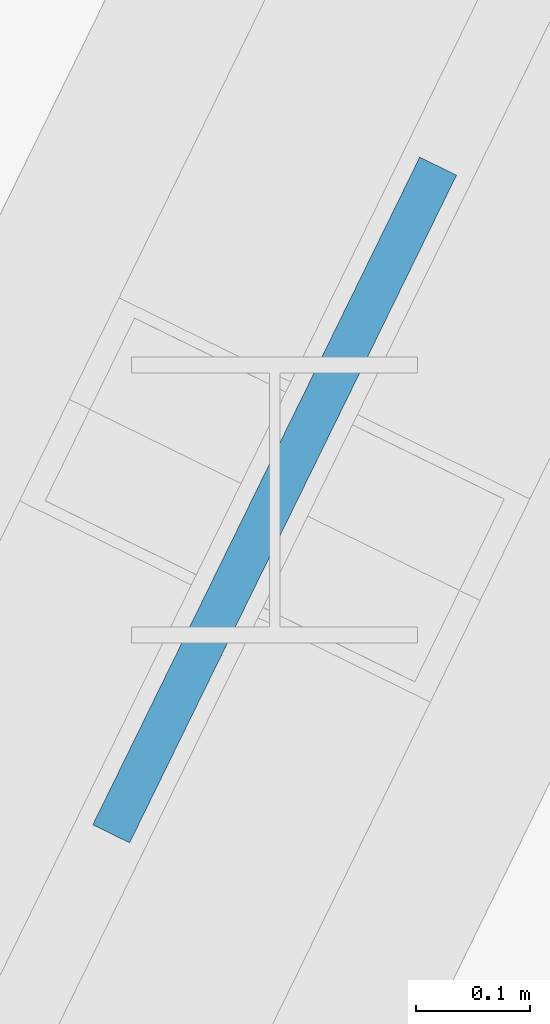
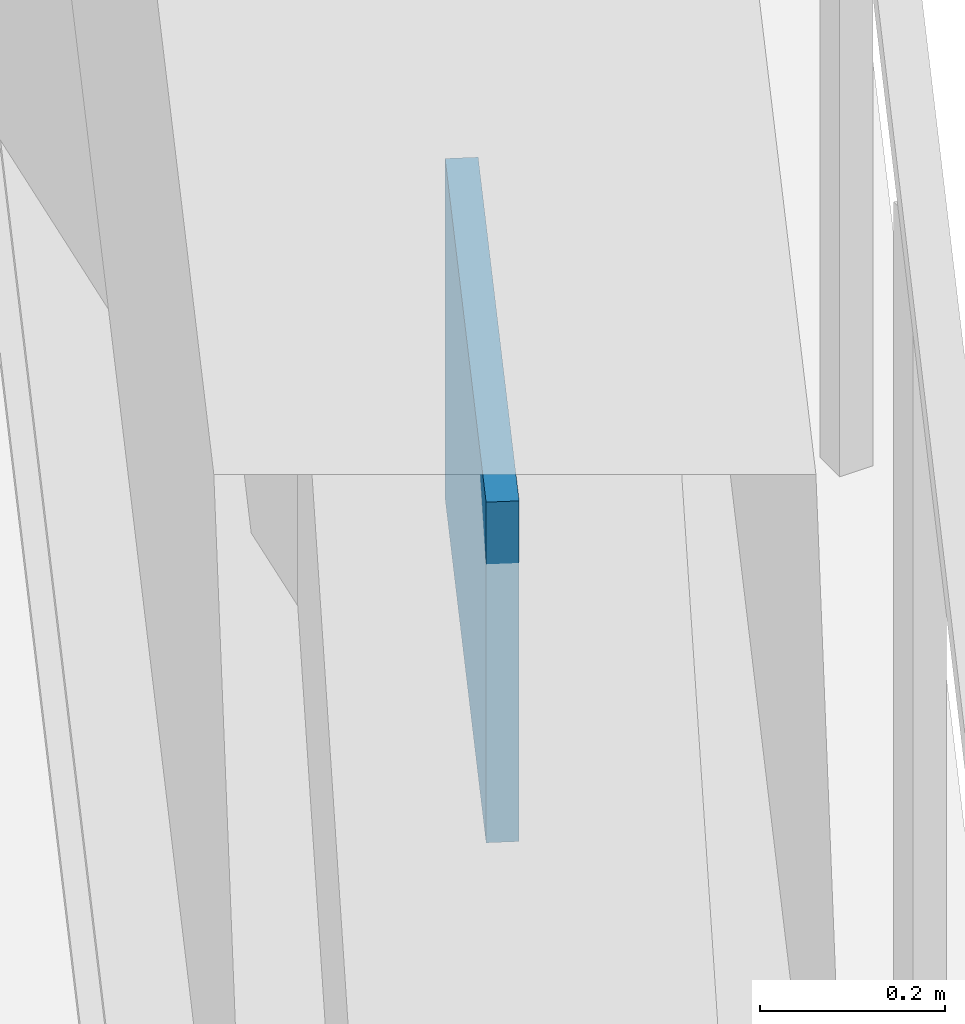
# One storey, part 15 of 25: 1 plate.
"""IFC4 building model written with IfcOpenShell, lengths in metres."""

from ifc_helpers import new_model, si_unit, direction, frame, origin, origin_2d, place, context, subcontext, project, spatial, rectangle, extrude, source, transform, mapped, material, layer, layer_set, type_object, element, save


model = new_model("IFC4")

# Units and contexts
model_context = context("Model", 3, precision=1e-05, world=origin(), true_north=direction((0.0, 1.0)))
body_context = subcontext(model_context, "Body", "Model", "MODEL_VIEW")
ifc_project = project(units=[si_unit("LENGTHUNIT", "METRE"), si_unit("AREAUNIT", "SQUARE_METRE"), si_unit("VOLUMEUNIT", "CUBIC_METRE"), si_unit("PLANEANGLEUNIT", "RADIAN"), si_unit("MASSUNIT", "GRAM", prefix="KILO")], contexts=[model_context])

# Site, building, storey
site_placement = place(None, origin())
site = spatial("IfcSite", under=ifc_project, at=site_placement, CompositionType="ELEMENT")
building_placement = place(site_placement, origin())
building = spatial("IfcBuilding", under=site, at=building_placement, Name="Liaohun Quay Tower", CompositionType="ELEMENT")
storey_placement = place(building_placement, frame((0.0, 0.0, 93.0)))
storey = spatial("IfcBuildingStorey", under=building, at=storey_placement, Name="L24", CompositionType="ELEMENT", Elevation=93.0)

# Plate
ifc_material = material(Name="Steel Q420D outrigger node gusset plate", Category="steel")
ifc_layer = layer(ifc_material, 0.0400390625, Name="Steel Q420D outrigger node gusset plate", Category="steel")
ifc_layer_set = layer_set([ifc_layer], Name="Steel Q420D outrigger node gusset plate")
plate_type = type_object("IfcPlateType", Name="PLT-GUS-OUT", PredefinedType="USERDEFINED", material=ifc_layer_set)
shared_shape = source(origin(), body_context, "Body", "SweptSolid", [
    extrude(rectangle(XDim=0.64990234375, YDim=0.035888671875, at=origin_2d()), origin(), (0.0, 0.0, 1.0), 0.449951171875),
])
plate_placement = place(storey_placement, frame((91.24609375, 55.72802734375, 3.59521484375), z_axis=(0.0, 0.0, 1.0), x_axis=(-0.439782427776, -0.898104345953, 0.0)))
element("IfcPlate", 1, at=plate_placement, inside=storey, type_object=plate_type, Name="L24 Belt Truss Node Gusset Plate GP1-B05", ObjectType="GUSSET PLATE", PredefinedType="USERDEFINED", context=body_context, shape_type="MappedRepresentation", body=[
    mapped(shared_shape, transform((0.0, 0.0, 0.0), x_axis=(1.0, 0.0, 0.0), y_axis=(0.0, 1.0, 0.0), z_axis=(0.0, 0.0, 1.0), scale=1.0)),
])

save(model, "model.ifc")
